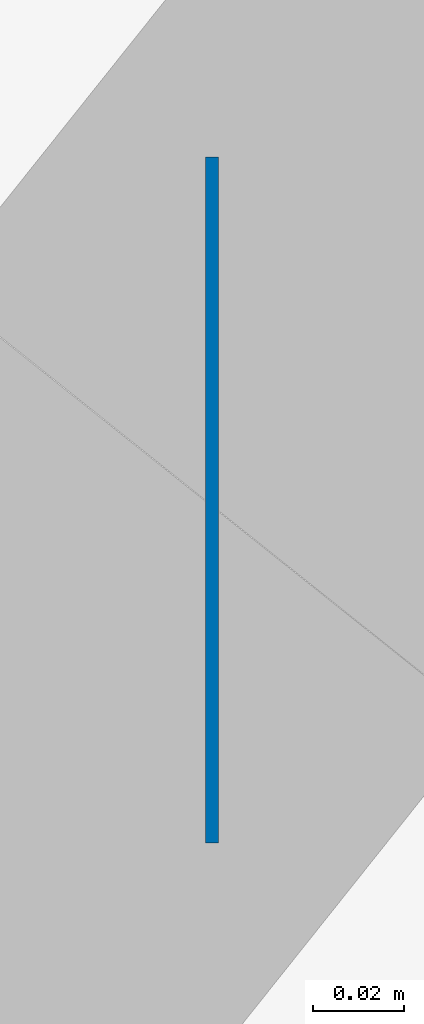
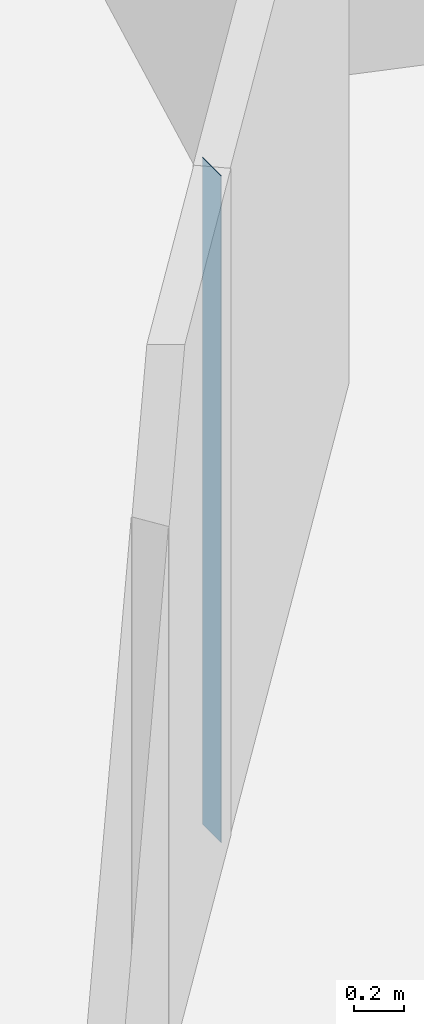
# One storey, part 5 of 13: 1 wall.
"""IFC4 building model written with IfcOpenShell, lengths in metres."""

from ifc_helpers import new_model, si_unit, direction, frame, frame_2d, origin, place, context, subcontext, project, spatial, rectangle, extrude, material, layer, layer_set, type_object, element, save


model = new_model("IFC4")

# Units and contexts
model_context = context("Model", 3, precision=1e-05, world=origin(), true_north=direction((0.0, 1.0)))
body_context = subcontext(model_context, "Body", "Model", "MODEL_VIEW")
ifc_project = project(units=[si_unit("LENGTHUNIT", "METRE"), si_unit("AREAUNIT", "SQUARE_METRE"), si_unit("VOLUMEUNIT", "CUBIC_METRE"), si_unit("PLANEANGLEUNIT", "RADIAN"), si_unit("MASSUNIT", "GRAM", prefix="KILO")], contexts=[model_context])

# Site, building, storey
site_placement = place(None, origin())
site = spatial("IfcSite", under=ifc_project, at=site_placement, CompositionType="ELEMENT")
building_placement = place(site_placement, origin())
building = spatial("IfcBuilding", under=site, at=building_placement, Name="Tracery Tower", CompositionType="ELEMENT")
storey_placement = place(building_placement, frame((0.0, 0.0, 319.800048828125)))
storey = spatial("IfcBuildingStorey", under=building, at=storey_placement, Name="L83", CompositionType="ELEMENT", Elevation=319.800048828125)

# Wall
ifc_material = material(Name="Plasterboard on steel studs", Category="steel")
ifc_layer = layer(ifc_material, 0.14990234375)
ifc_layer_set = layer_set([ifc_layer], Name="Partition 150 corridor wall")
wall_type = type_object("IfcWallType", Name="Partition 150 corridor wall", PredefinedType="PARTITIONING", material=ifc_layer_set)
wall_placement = place(storey_placement, frame((11.136962890625, -8.800048828125, 0.0), z_axis=(0.0, 0.0, 1.0), x_axis=(-1.0, 0.0, 0.0)))
element("IfcWall", 1, at=wall_placement, inside=storey, type_object=wall_type, Name="Corridor wall RC9-018", PredefinedType="PARTITIONING", context=body_context, shape_type="SweptSolid", body=[
    extrude(rectangle(XDim=0.0029296875, YDim=0.14990234375, at=frame_2d((0.00146484375, 0.0))), origin(), (0.0, 0.0, 1.0), 3.25),
])

save(model, "model.ifc")
